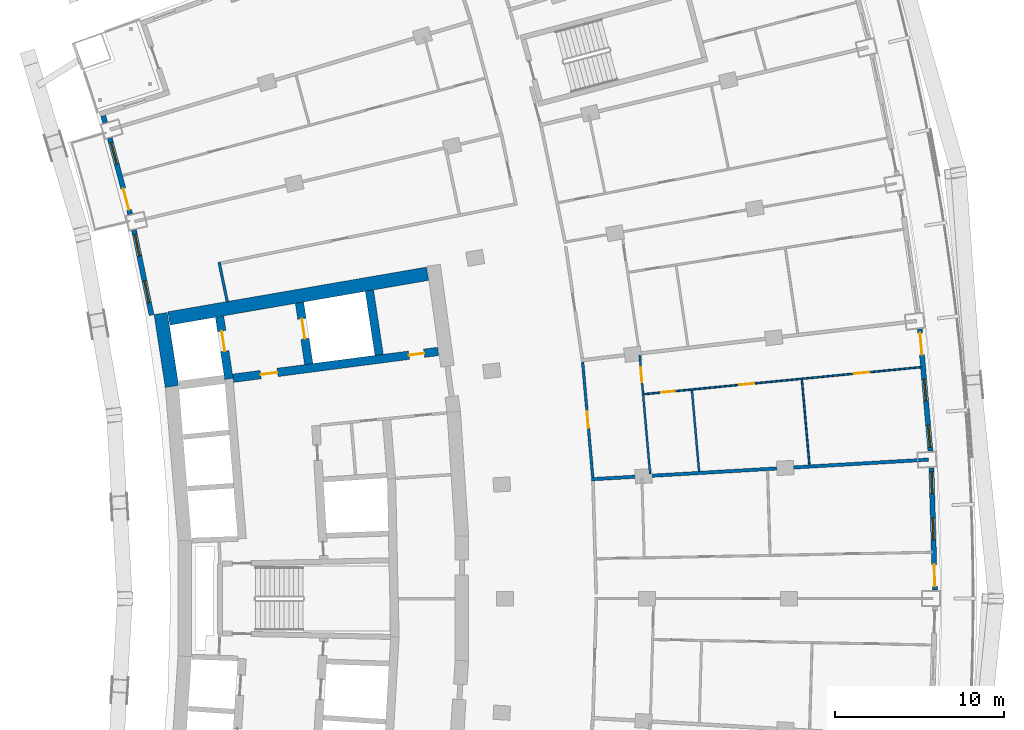
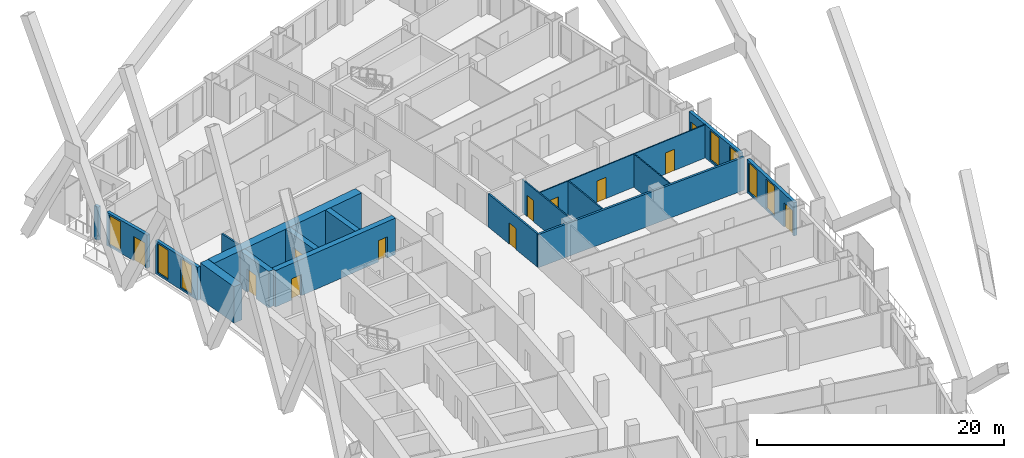
# One storey, part 16 of 24: 18 walls, 12 doors, 7 windows, 19 openings.
"""IFC4 building model written with IfcOpenShell, lengths in metres."""

from ifc_helpers import new_model, si_unit, direction, frame, frame_2d, origin, place, context, subcontext, project, spatial, rectangle, extrude, material, layer, layer_set, type_object, element, fill, save


model = new_model("IFC4")

# Units and contexts
model_context = context("Model", 3, precision=1e-05, world=origin(), true_north=direction((0.0, 1.0)))
body_context = subcontext(model_context, "Body", "Model", "MODEL_VIEW")
ifc_project = project(units=[si_unit("LENGTHUNIT", "METRE"), si_unit("AREAUNIT", "SQUARE_METRE"), si_unit("VOLUMEUNIT", "CUBIC_METRE"), si_unit("PLANEANGLEUNIT", "RADIAN"), si_unit("MASSUNIT", "GRAM", prefix="KILO")], contexts=[model_context])

# Site, building, storey
site_placement = place(None, origin())
site = spatial("IfcSite", under=ifc_project, at=site_placement, CompositionType="ELEMENT")
building_placement = place(site_placement, origin())
building = spatial("IfcBuilding", under=site, at=building_placement, Name="Alderwake Tower", CompositionType="ELEMENT")
storey_placement = place(building_placement, frame((0.0, 0.0, 104.0)))
storey = spatial("IfcBuildingStorey", under=building, at=storey_placement, Name="L25", CompositionType="ELEMENT", Elevation=104.0)

# Walls
ifc_material_1 = material(Name="Concrete C70/85", Category="concrete")
ifc_layer_1 = layer(ifc_material_1, 0.800048828125)
ifc_layer_set_1 = layer_set([ifc_layer_1], Name="Core wall outer 800 C70-85")
wall_type_1 = type_object("IfcWallType", Name="Core wall outer 800 C70-85", PredefinedType="SHEAR", material=ifc_layer_set_1)
wall_1_placement = place(storey_placement, frame((16.083984375, 73.552490234375, 0.0), z_axis=(0.0, 0.0, 1.0), x_axis=(-0.151981606421, 0.988383322052, 0.0)))
element("IfcWall", 1, at=wall_1_placement, inside=storey, type_object=wall_type_1, Name="Core wall CW.039", PredefinedType="SHEAR", context=body_context, shape_type="SweptSolid", body=[
    extrude(rectangle(XDim=4.369384765625, YDim=0.800048828125, at=frame_2d((2.1845703125, 0.0))), origin(), (0.0, 0.0, 1.0), 3.60009765625),
])
wall_2_placement = place(storey_placement, frame((15.900146484375, 77.577880859375, 0.0), z_axis=(0.0, 0.0, 1.0), x_axis=(0.985386601125, 0.170332751763, 0.0)))
element("IfcWall", 2, at=wall_2_placement, inside=storey, type_object=wall_type_1, Name="Core wall CW.054", PredefinedType="SHEAR", context=body_context, shape_type="SweptSolid", body=[
    extrude(rectangle(XDim=15.531494140625, YDim=0.800048828125, at=frame_2d((7.765625, 0.0))), origin(), (0.0, 0.0, 1.0), 3.60009765625),
])

# Wall, opening, door
ifc_material_2 = material(Name="Concrete C70/85", Category="concrete")
ifc_layer_2 = layer(ifc_material_2, 0.5)
ifc_layer_set_2 = layer_set([ifc_layer_2], Name="Core wall spine 500 C70-85")
wall_type_2 = type_object("IfcWallType", Name="Core wall spine 500 C70-85", PredefinedType="SHEAR", material=ifc_layer_set_2)
wall_3_placement = place(storey_placement, frame((19.4541015625, 73.9990234375, 0.0), z_axis=(0.0, 0.0, 1.0), x_axis=(-0.14792928808, 0.988997940204, 0.0)))
wall_3 = element("IfcWall", 3, at=wall_3_placement, inside=storey, type_object=wall_type_2, Name="Core wall CW.030", PredefinedType="SHEAR", context=body_context, shape_type="SweptSolid", body=[
    extrude(rectangle(XDim=3.716552734375, YDim=0.5, at=frame_2d((1.8583984375, 0.0))), origin(), (0.0, 0.0, 1.0), 3.60009765625),
])
opening_1_placement = place(wall_3_placement, frame((1.66259765625, 0.0, 0.0)))
opening_1 = element("IfcOpeningElement", 4, at=opening_1_placement, cuts=wall_3, Name="Opening LD-FF1", PredefinedType="OPENING", context=body_context, shape_type="SweptSolid", body=[
    extrude(rectangle(XDim=1.199951171875, YDim=2.300048828125, at=frame_2d((0.60009765625, 1.14990234375))), frame((0.0, 0.260009765625, 0.0), z_axis=(0.0, -1.0, 0.0), x_axis=(1.0, 0.0, 0.0)), (0.0, 0.0, 1.0), 0.52001953125),
])
ifc_material_3 = material(Name="Stainless steel sliding leaf", Category="steel")
door_type_1 = type_object("IfcDoorType", Name="Lift landing door 1200", OperationType="SLIDING_TO_LEFT", PredefinedType="DOOR", material=ifc_material_3)
door_1_placement = place(opening_1_placement, origin())
door_1 = element("IfcDoor", 5, at=door_1_placement, inside=storey, type_object=door_type_1, Name="Lift landing door FF1", OperationType="SLIDING_TO_LEFT", OverallHeight=2.300048828125, OverallWidth=1.199951171875, PredefinedType="DOOR", context=body_context, shape_type="SweptSolid", body=[
    extrude(rectangle(XDim=1.199951171875, YDim=2.300048828125, at=frame_2d((0.60009765625, 1.14990234375))), frame((0.0, 0.02490234375, 0.0), z_axis=(0.0, -1.0, 0.0), x_axis=(1.0, 0.0, 0.0)), (0.0, 0.0, 1.0), 0.050048828125),
])
fill(opening_1, door_1)

wall_4_placement = place(storey_placement, frame((24.1796875, 74.878173828125, 0.0), z_axis=(0.0, 0.0, 1.0), x_axis=(-0.149334835296, 0.988786684259, 0.0)))
wall_4 = element("IfcWall", 6, at=wall_4_placement, inside=storey, type_object=wall_type_2, Name="Core wall CW.044", PredefinedType="SHEAR", context=body_context, shape_type="SweptSolid", body=[
    extrude(rectangle(XDim=3.673583984375, YDim=0.5, at=frame_2d((1.8369140625, 0.0))), origin(), (0.0, 0.0, 1.0), 3.60009765625),
])
opening_2_placement = place(wall_4_placement, frame((1.51171875, 0.0, 0.0)))
opening_2 = element("IfcOpeningElement", 7, at=opening_2_placement, cuts=wall_4, Name="Opening LD-FF2", PredefinedType="OPENING", context=body_context, shape_type="SweptSolid", body=[
    extrude(rectangle(XDim=1.199951171875, YDim=2.300048828125, at=frame_2d((0.60009765625, 1.14990234375))), frame((0.0, 0.260009765625, 0.0), z_axis=(0.0, -1.0, 0.0), x_axis=(1.0, 0.0, 0.0)), (0.0, 0.0, 1.0), 0.52001953125),
])
door_2_placement = place(opening_2_placement, origin())
door_2 = element("IfcDoor", 8, at=door_2_placement, inside=storey, type_object=door_type_1, Name="Lift landing door FF2", OperationType="SLIDING_TO_LEFT", OverallHeight=2.300048828125, OverallWidth=1.199951171875, PredefinedType="DOOR", context=body_context, shape_type="SweptSolid", body=[
    extrude(rectangle(XDim=1.199951171875, YDim=2.300048828125, at=frame_2d((0.60009765625, 1.14990234375))), frame((0.0, 0.02490234375, 0.0), z_axis=(0.0, -1.0, 0.0), x_axis=(1.0, 0.0, 0.0)), (0.0, 0.0, 1.0), 0.050048828125),
])
fill(opening_2, door_2)

# Wall
wall_5_placement = place(storey_placement, frame((28.34423828125, 75.4228515625, 0.0), z_axis=(0.0, 0.0, 1.0), x_axis=(-0.14943460482, 0.988771611082, 0.0)))
element("IfcWall", 9, at=wall_5_placement, inside=storey, type_object=wall_type_2, Name="Core wall CW.001", PredefinedType="SHEAR", context=body_context, shape_type="SweptSolid", body=[
    extrude(rectangle(XDim=3.8623046875, YDim=0.5, at=frame_2d((1.93115234375, 0.0))), origin(), (0.0, 0.0, 1.0), 3.60009765625),
])

# Wall, openings, doors
wall_6_placement = place(storey_placement, frame((31.834716796875, 75.627197265625, 0.0), z_axis=(0.0, 0.0, 1.0), x_axis=(-0.991555516999, -0.129682908318, 0.0)))
wall_6 = element("IfcWall", 10, at=wall_6_placement, inside=storey, type_object=wall_type_2, Name="Core wall CW.052", PredefinedType="SHEAR", context=body_context, shape_type="SweptSolid", body=[
    extrude(rectangle(XDim=12.23681640625, YDim=0.5, at=frame_2d((6.118408203125, 0.0))), origin(), (0.0, 0.0, 1.0), 3.60009765625),
])
opening_3_placement = place(wall_6_placement, frame((9.587158203125, 0.0, 0.0)))
opening_3 = element("IfcOpeningElement", 11, at=opening_3_placement, cuts=wall_6, Name="Opening C002", PredefinedType="OPENING", context=body_context, shape_type="SweptSolid", body=[
    extrude(rectangle(XDim=1.0, YDim=2.10009765625, at=frame_2d((0.5, 1.050048828125))), frame((0.0, 0.260009765625, 0.0), z_axis=(0.0, -1.0, 0.0), x_axis=(1.0, 0.0, 0.0)), (0.0, 0.0, 1.0), 0.52001953125),
])
opening_4_placement = place(wall_6_placement, frame((0.837158203125, 0.0, 0.0)))
opening_4 = element("IfcOpeningElement", 12, at=opening_4_placement, cuts=wall_6, Name="Opening C020", PredefinedType="OPENING", context=body_context, shape_type="SweptSolid", body=[
    extrude(rectangle(XDim=0.89990234375, YDim=2.10009765625, at=frame_2d((0.449951171875, 1.050048828125))), frame((0.0, 0.260009765625, 0.0), z_axis=(0.0, -1.0, 0.0), x_axis=(1.0, 0.0, 0.0)), (0.0, 0.0, 1.0), 0.52001953125),
])
ifc_material_4 = material(Name="Painted steel leaf", Category="steel")
door_type_2 = type_object("IfcDoorType", Name="Core room door 900", OperationType="SINGLE_SWING_LEFT", PredefinedType="DOOR", material=ifc_material_4)
door_3_placement = place(opening_4_placement, origin())
door_3 = element("IfcDoor", 13, at=door_3_placement, inside=storey, type_object=door_type_2, Name="Room door", OperationType="SINGLE_SWING_LEFT", OverallHeight=2.10009765625, OverallWidth=0.89990234375, PredefinedType="DOOR", context=body_context, shape_type="SweptSolid", body=[
    extrude(rectangle(XDim=0.89990234375, YDim=2.10009765625, at=frame_2d((0.449951171875, 1.050048828125))), frame((0.0, 0.02490234375, 0.0), z_axis=(0.0, -1.0, 0.0), x_axis=(1.0, 0.0, 0.0)), (0.0, 0.0, 1.0), 0.050048828125),
])
fill(opening_4, door_3)
ifc_material_5 = material(Name="Steel-framed fire door leaf", Category="steel")
door_type_3 = type_object("IfcDoorType", Name="Firefighting lobby door 1000 fire-rated", OperationType="SINGLE_SWING_LEFT", PredefinedType="DOOR", material=ifc_material_5)
door_4_placement = place(opening_3_placement, origin())
door_4 = element("IfcDoor", 14, at=door_4_placement, inside=storey, type_object=door_type_3, Name="Firefighting lobby door", OperationType="SINGLE_SWING_RIGHT", OverallHeight=2.10009765625, OverallWidth=1.0, PredefinedType="DOOR", context=body_context, shape_type="SweptSolid", body=[
    extrude(rectangle(XDim=1.0, YDim=2.10009765625, at=frame_2d((0.5, 1.050048828125))), frame((0.0, 0.02490234375, 0.0), z_axis=(0.0, -1.0, 0.0), x_axis=(1.0, 0.0, 0.0)), (0.0, 0.0, 1.0), 0.050048828125),
])
fill(opening_3, door_4)

# Wall
ifc_material_6 = material(Name="Gypsum board on metal studs, rated")
ifc_layer_3 = layer(ifc_material_6, 0.159912109375)
ifc_layer_set_3 = layer_set([ifc_layer_3], Name="Corridor wall 160")
wall_type_3 = type_object("IfcWallType", Name="Corridor wall 160", PredefinedType="PARTITIONING", material=ifc_layer_set_3)
wall_7_placement = place(storey_placement, frame((18.874755859375, 80.910400390625, 0.0), z_axis=(0.0, 0.0, 1.0), x_axis=(0.202312089075, -0.979321100873, 0.0)))
element("IfcWall", 15, at=wall_7_placement, inside=storey, type_object=wall_type_3, Name="WL/L25/W19", PredefinedType="PARTITIONING", context=body_context, shape_type="SweptSolid", body=[
    extrude(rectangle(XDim=2.39306640625, YDim=0.159912109375, at=frame_2d((1.196533203125, 0.0))), origin(), (0.0, 0.0, 1.0), 3.280029296875),
])

# Wall, opening, door
wall_8_placement = place(storey_placement, frame((40.3857421875, 75.00830078125, 0.0), z_axis=(0.0, 0.0, 1.0), x_axis=(0.087448731147, -0.996169021512, 0.0)))
wall_8 = element("IfcWall", 16, at=wall_8_placement, inside=storey, type_object=wall_type_3, Name="WL/L25/W41", PredefinedType="PARTITIONING", context=body_context, shape_type="SweptSolid", body=[
    extrude(rectangle(XDim=6.867919921875, YDim=0.159912109375, at=frame_2d((3.43408203125, 0.0))), origin(), (0.0, 0.0, 1.0), 3.280029296875),
])
opening_5_placement = place(wall_8_placement, frame((2.93408203125, 0.0, 0.0)))
opening_5 = element("IfcOpeningElement", 17, at=opening_5_placement, cuts=wall_8, Name="Opening R07-U08.2", PredefinedType="OPENING", context=body_context, shape_type="SweptSolid", body=[
    extrude(rectangle(XDim=1.0, YDim=2.10009765625, at=frame_2d((0.5, 1.050048828125))), frame((0.0, 0.08984375, 0.0), z_axis=(0.0, -1.0, 0.0), x_axis=(1.0, 0.0, 0.0)), (0.0, 0.0, 1.0), 0.179931640625),
])
ifc_material_7 = material(Name="Solid timber leaf in steel frame", Category="steel")
door_type_4 = type_object("IfcDoorType", Name="Flat entrance door 1000 fire-rated", OperationType="SINGLE_SWING_LEFT", PredefinedType="DOOR", material=ifc_material_7)
door_5_placement = place(opening_5_placement, origin())
door_5 = element("IfcDoor", 18, at=door_5_placement, inside=storey, type_object=door_type_4, Name="DR/L25/U08.2", OperationType="SINGLE_SWING_LEFT", OverallHeight=2.10009765625, OverallWidth=1.0, PredefinedType="DOOR", context=body_context, shape_type="SweptSolid", body=[
    extrude(rectangle(XDim=1.0, YDim=2.10009765625, at=frame_2d((0.5, 1.050048828125))), frame((0.0, 0.02490234375, 0.0), z_axis=(0.0, -1.0, 0.0), x_axis=(1.0, 0.0, 0.0)), (0.0, 0.0, 1.0), 0.050048828125),
])
fill(opening_5, door_5)

# Wall, openings, door, windows
ifc_material_8 = material(Name="Precast concrete C50/60 spandrel panel", Category="concrete")
ifc_layer_4 = layer(ifc_material_8, 0.300048828125)
ifc_layer_set_4 = layer_set([ifc_layer_4], Name="External wall EW1 Precast concrete C50/60 spandrel")
wall_type_4 = type_object("IfcWallType", Name="External wall EW1 Precast concrete C50/60 spandrel", PredefinedType="SOLIDWALL", material=ifc_layer_set_4)
wall_9_placement = place(storey_placement, frame((61.2353515625, 61.49853515625, 0.0), z_axis=(0.0, 0.0, 1.0), x_axis=(-0.029132510791, 0.999575558332, 0.0)))
wall_9 = element("IfcWall", 19, at=wall_9_placement, inside=storey, type_object=wall_type_4, Name="External wall 17", PredefinedType="SOLIDWALL", context=body_context, shape_type="SweptSolid", body=[
    extrude(rectangle(XDim=7.24072265625, YDim=0.300048828125, at=frame_2d((3.620361328125, 0.0))), origin(), (0.0, 0.0, 1.0), 3.280029296875),
])
opening_6_placement = place(wall_9_placement, frame((0.22900390625, 0.0, 0.0)))
opening_6 = element("IfcOpeningElement", 20, at=opening_6_placement, cuts=wall_9, Name="Opening D07", PredefinedType="OPENING", context=body_context, shape_type="SweptSolid", body=[
    extrude(rectangle(XDim=1.300048828125, YDim=2.39990234375, at=frame_2d((0.64990234375, 1.199951171875))), frame((0.0, 0.159912109375, 0.0), z_axis=(0.0, -1.0, 0.0), x_axis=(1.0, 0.0, 0.0)), (0.0, 0.0, 1.0), 0.320068359375),
])
opening_7_placement = place(wall_9_placement, frame((2.97021484375, 0.0, 0.199951171875)))
opening_7 = element("IfcOpeningElement", 21, at=opening_7_placement, cuts=wall_9, Name="Opening W1", PredefinedType="OPENING", context=body_context, shape_type="SweptSolid", body=[
    extrude(rectangle(XDim=1.300048828125, YDim=2.89990234375, at=frame_2d((0.64990234375, 1.449951171875))), frame((0.0, 0.159912109375, 0.0), z_axis=(0.0, -1.0, 0.0), x_axis=(1.0, 0.0, 0.0)), (0.0, 0.0, 1.0), 0.320068359375),
])
opening_8_placement = place(wall_9_placement, frame((5.711669921875, 0.0, 0.199951171875)))
opening_8 = element("IfcOpeningElement", 22, at=opening_8_placement, cuts=wall_9, Name="Opening W1", PredefinedType="OPENING", context=body_context, shape_type="SweptSolid", body=[
    extrude(rectangle(XDim=1.300048828125, YDim=2.89990234375, at=frame_2d((0.64990234375, 1.449951171875))), frame((0.0, 0.159912109375, 0.0), z_axis=(0.0, -1.0, 0.0), x_axis=(1.0, 0.0, 0.0)), (0.0, 0.0, 1.0), 0.320068359375),
])
ifc_material_9 = material(Name="Bronze tinted glass in aluminium frame", Category="aluminium")
door_type_5 = type_object("IfcDoorType", Name="Balcony door BD sliding", OperationType="SLIDING_TO_LEFT", PredefinedType="DOOR", material=ifc_material_9)
door_6_placement = place(opening_6_placement, origin())
door_6 = element("IfcDoor", 23, at=door_6_placement, inside=storey, type_object=door_type_5, Name="Door D07", OperationType="SLIDING_TO_LEFT", OverallHeight=2.39990234375, OverallWidth=1.300048828125, PredefinedType="DOOR", context=body_context, shape_type="SweptSolid", body=[
    extrude(rectangle(XDim=1.300048828125, YDim=2.39990234375, at=frame_2d((0.64990234375, 1.199951171875))), frame((0.0, 0.02490234375, 0.0), z_axis=(0.0, -1.0, 0.0), x_axis=(1.0, 0.0, 0.0)), (0.0, 0.0, 1.0), 0.050048828125),
])
fill(opening_6, door_6)
ifc_material_10 = material(Name="Bronze tinted glass in aluminium frame", Category="aluminium")
window_type = type_object("IfcWindowType", Name="Window W1 tall fixed and vent", PartitioningType="DOUBLE_PANEL_VERTICAL", PredefinedType="WINDOW", material=ifc_material_10)
window_1_placement = place(opening_7_placement, origin())
window_1 = element("IfcWindow", 24, at=window_1_placement, inside=storey, type_object=window_type, Name="Window W1 tall fixed and vent", OverallHeight=2.89990234375, OverallWidth=1.300048828125, PartitioningType="DOUBLE_PANEL_VERTICAL", PredefinedType="WINDOW", context=body_context, shape_type="SweptSolid", body=[
    extrude(rectangle(XDim=1.300048828125, YDim=2.89990234375, at=frame_2d((0.64990234375, 1.449951171875))), frame((0.0, 0.030029296875, 0.0), z_axis=(0.0, -1.0, 0.0), x_axis=(1.0, 0.0, 0.0)), (0.0, 0.0, 1.0), 0.06005859375),
])
fill(opening_7, window_1)
window_2_placement = place(opening_8_placement, origin())
window_2 = element("IfcWindow", 25, at=window_2_placement, inside=storey, type_object=window_type, Name="Window W1 tall fixed and vent", OverallHeight=2.89990234375, OverallWidth=1.300048828125, PartitioningType="DOUBLE_PANEL_VERTICAL", PredefinedType="WINDOW", context=body_context, shape_type="SweptSolid", body=[
    extrude(rectangle(XDim=1.300048828125, YDim=2.89990234375, at=frame_2d((0.64990234375, 1.449951171875))), frame((0.0, 0.030029296875, 0.0), z_axis=(0.0, -1.0, 0.0), x_axis=(1.0, 0.0, 0.0)), (0.0, 0.0, 1.0), 0.06005859375),
])
fill(opening_8, window_2)

wall_10_placement = place(storey_placement, frame((60.96630859375, 69.731689453125, 0.0), z_axis=(0.0, 0.0, 1.0), x_axis=(-0.087394900945, 0.996173745533, 0.0)))
wall_10 = element("IfcWall", 26, at=wall_10_placement, inside=storey, type_object=wall_type_4, Name="External wall 18", PredefinedType="SOLIDWALL", context=body_context, shape_type="SweptSolid", body=[
    extrude(rectangle(XDim=7.24072265625, YDim=0.300048828125, at=frame_2d((3.620361328125, 0.0))), origin(), (0.0, 0.0, 1.0), 3.280029296875),
])
opening_9_placement = place(wall_10_placement, frame((0.22900390625, 0.0, 0.199951171875)))
opening_9 = element("IfcOpeningElement", 27, at=opening_9_placement, cuts=wall_10, Name="Opening W1", PredefinedType="OPENING", context=body_context, shape_type="SweptSolid", body=[
    extrude(rectangle(XDim=1.300048828125, YDim=2.89990234375, at=frame_2d((0.64990234375, 1.449951171875))), frame((0.0, 0.159912109375, 0.0), z_axis=(0.0, -1.0, 0.0), x_axis=(1.0, 0.0, 0.0)), (0.0, 0.0, 1.0), 0.320068359375),
])
opening_10_placement = place(wall_10_placement, frame((2.970458984375, 0.0, 0.199951171875)))
opening_10 = element("IfcOpeningElement", 28, at=opening_10_placement, cuts=wall_10, Name="Opening W1", PredefinedType="OPENING", context=body_context, shape_type="SweptSolid", body=[
    extrude(rectangle(XDim=1.300048828125, YDim=2.89990234375, at=frame_2d((0.64990234375, 1.449951171875))), frame((0.0, 0.159912109375, 0.0), z_axis=(0.0, -1.0, 0.0), x_axis=(1.0, 0.0, 0.0)), (0.0, 0.0, 1.0), 0.320068359375),
])
opening_11_placement = place(wall_10_placement, frame((5.711669921875, 0.0, 0.0)))
opening_11 = element("IfcOpeningElement", 29, at=opening_11_placement, cuts=wall_10, Name="Opening D08", PredefinedType="OPENING", context=body_context, shape_type="SweptSolid", body=[
    extrude(rectangle(XDim=1.300048828125, YDim=2.39990234375, at=frame_2d((0.64990234375, 1.199951171875))), frame((0.0, 0.159912109375, 0.0), z_axis=(0.0, -1.0, 0.0), x_axis=(1.0, 0.0, 0.0)), (0.0, 0.0, 1.0), 0.320068359375),
])
door_7_placement = place(opening_11_placement, origin())
door_7 = element("IfcDoor", 30, at=door_7_placement, inside=storey, type_object=door_type_5, Name="Door D08", OperationType="SLIDING_TO_LEFT", OverallHeight=2.39990234375, OverallWidth=1.300048828125, PredefinedType="DOOR", context=body_context, shape_type="SweptSolid", body=[
    extrude(rectangle(XDim=1.300048828125, YDim=2.39990234375, at=frame_2d((0.64990234375, 1.199951171875))), frame((0.0, 0.02490234375, 0.0), z_axis=(0.0, -1.0, 0.0), x_axis=(1.0, 0.0, 0.0)), (0.0, 0.0, 1.0), 0.050048828125),
])
fill(opening_11, door_7)
window_3_placement = place(opening_9_placement, origin())
window_3 = element("IfcWindow", 31, at=window_3_placement, inside=storey, type_object=window_type, Name="Window W1 tall fixed and vent", OverallHeight=2.89990234375, OverallWidth=1.300048828125, PartitioningType="DOUBLE_PANEL_VERTICAL", PredefinedType="WINDOW", context=body_context, shape_type="SweptSolid", body=[
    extrude(rectangle(XDim=1.300048828125, YDim=2.89990234375, at=frame_2d((0.64990234375, 1.449951171875))), frame((0.0, 0.030029296875, 0.0), z_axis=(0.0, -1.0, 0.0), x_axis=(1.0, 0.0, 0.0)), (0.0, 0.0, 1.0), 0.06005859375),
])
fill(opening_9, window_3)
window_4_placement = place(opening_10_placement, origin())
window_4 = element("IfcWindow", 32, at=window_4_placement, inside=storey, type_object=window_type, Name="Window W1 tall fixed and vent", OverallHeight=2.89990234375, OverallWidth=1.300048828125, PartitioningType="DOUBLE_PANEL_VERTICAL", PredefinedType="WINDOW", context=body_context, shape_type="SweptSolid", body=[
    extrude(rectangle(XDim=1.300048828125, YDim=2.89990234375, at=frame_2d((0.64990234375, 1.449951171875))), frame((0.0, 0.030029296875, 0.0), z_axis=(0.0, -1.0, 0.0), x_axis=(1.0, 0.0, 0.0)), (0.0, 0.0, 1.0), 0.06005859375),
])
fill(opening_10, window_4)

# Wall
wall_11_placement = place(storey_placement, frame((12.01416015625, 89.5703125, 0.0), z_axis=(0.0, 0.0, 1.0), x_axis=(0.294567190983, -0.955630770746, 0.0)))
element("IfcWall", 33, at=wall_11_placement, inside=storey, type_object=wall_type_4, Name="External wall 32", PredefinedType="SOLIDWALL", context=body_context, shape_type="SweptSolid", body=[
    extrude(rectangle(XDim=0.427734375, YDim=0.300048828125, at=frame_2d((0.2138671875, 0.0))), origin(), (0.0, 0.0, 1.0), 3.280029296875),
])

# Wall, openings, door, window
wall_12_placement = place(storey_placement, frame((12.406494140625, 88.237548828125, 0.0), z_axis=(0.0, 0.0, 1.0), x_axis=(0.259468933642, -0.965751454814, 0.0)))
wall_12 = element("IfcWall", 34, at=wall_12_placement, inside=storey, type_object=wall_type_4, Name="External wall 33", PredefinedType="SOLIDWALL", context=body_context, shape_type="SweptSolid", body=[
    extrude(rectangle(XDim=4.65087890625, YDim=0.300048828125, at=frame_2d((2.325439453125, 0.0))), origin(), (0.0, 0.0, 1.0), 3.280029296875),
])
opening_12_placement = place(wall_12_placement, frame((0.26708984375, 0.0, 0.199951171875)))
opening_12 = element("IfcOpeningElement", 35, at=opening_12_placement, cuts=wall_12, Name="Opening W1", PredefinedType="OPENING", context=body_context, shape_type="SweptSolid", body=[
    extrude(rectangle(XDim=1.300048828125, YDim=2.89990234375, at=frame_2d((0.64990234375, 1.449951171875))), frame((0.0, 0.159912109375, 0.0), z_axis=(0.0, -1.0, 0.0), x_axis=(1.0, 0.0, 0.0)), (0.0, 0.0, 1.0), 0.320068359375),
])
opening_13_placement = place(wall_12_placement, frame((3.083984375, 0.0, 0.0)))
opening_13 = element("IfcOpeningElement", 36, at=opening_13_placement, cuts=wall_12, Name="Opening D14", PredefinedType="OPENING", context=body_context, shape_type="SweptSolid", body=[
    extrude(rectangle(XDim=1.300048828125, YDim=2.39990234375, at=frame_2d((0.64990234375, 1.199951171875))), frame((0.0, 0.159912109375, 0.0), z_axis=(0.0, -1.0, 0.0), x_axis=(1.0, 0.0, 0.0)), (0.0, 0.0, 1.0), 0.320068359375),
])
door_8_placement = place(opening_13_placement, origin())
door_8 = element("IfcDoor", 37, at=door_8_placement, inside=storey, type_object=door_type_5, Name="Door D14", OperationType="SLIDING_TO_LEFT", OverallHeight=2.39990234375, OverallWidth=1.300048828125, PredefinedType="DOOR", context=body_context, shape_type="SweptSolid", body=[
    extrude(rectangle(XDim=1.300048828125, YDim=2.39990234375, at=frame_2d((0.64990234375, 1.199951171875))), frame((0.0, 0.02490234375, 0.0), z_axis=(0.0, -1.0, 0.0), x_axis=(1.0, 0.0, 0.0)), (0.0, 0.0, 1.0), 0.050048828125),
])
fill(opening_13, door_8)
window_5_placement = place(opening_12_placement, origin())
window_5 = element("IfcWindow", 38, at=window_5_placement, inside=storey, type_object=window_type, Name="Window W1 tall fixed and vent", OverallHeight=2.89990234375, OverallWidth=1.300048828125, PartitioningType="DOUBLE_PANEL_VERTICAL", PredefinedType="WINDOW", context=body_context, shape_type="SweptSolid", body=[
    extrude(rectangle(XDim=1.300048828125, YDim=2.89990234375, at=frame_2d((0.64990234375, 1.449951171875))), frame((0.0, 0.030029296875, 0.0), z_axis=(0.0, -1.0, 0.0), x_axis=(1.0, 0.0, 0.0)), (0.0, 0.0, 1.0), 0.06005859375),
])
fill(opening_12, window_5)

# Wall, openings, windows
wall_13_placement = place(storey_placement, frame((13.83740234375, 82.803955078125, 0.0), z_axis=(0.0, 0.0, 1.0), x_axis=(0.202723539143, -0.979236011734, 0.0)))
wall_13 = element("IfcWall", 39, at=wall_13_placement, inside=storey, type_object=wall_type_4, Name="External wall 34", PredefinedType="SOLIDWALL", context=body_context, shape_type="SweptSolid", body=[
    extrude(rectangle(XDim=5.134033203125, YDim=0.300048828125, at=frame_2d((2.56689453125, 0.0))), origin(), (0.0, 0.0, 1.0), 3.280029296875),
])
opening_14_placement = place(wall_13_placement, frame((0.264892578125, 0.0, 0.199951171875)))
opening_14 = element("IfcOpeningElement", 40, at=opening_14_placement, cuts=wall_13, Name="Opening W1", PredefinedType="OPENING", context=body_context, shape_type="SweptSolid", body=[
    extrude(rectangle(XDim=1.300048828125, YDim=2.89990234375, at=frame_2d((0.64990234375, 1.449951171875))), frame((0.0, 0.159912109375, 0.0), z_axis=(0.0, -1.0, 0.0), x_axis=(1.0, 0.0, 0.0)), (0.0, 0.0, 1.0), 0.320068359375),
])
opening_15_placement = place(wall_13_placement, frame((3.077392578125, 0.0, 0.199951171875)))
opening_15 = element("IfcOpeningElement", 41, at=opening_15_placement, cuts=wall_13, Name="Opening W1", PredefinedType="OPENING", context=body_context, shape_type="SweptSolid", body=[
    extrude(rectangle(XDim=1.300048828125, YDim=2.89990234375, at=frame_2d((0.64990234375, 1.449951171875))), frame((0.0, 0.159912109375, 0.0), z_axis=(0.0, -1.0, 0.0), x_axis=(1.0, 0.0, 0.0)), (0.0, 0.0, 1.0), 0.320068359375),
])
window_6_placement = place(opening_14_placement, origin())
window_6 = element("IfcWindow", 42, at=window_6_placement, inside=storey, type_object=window_type, Name="Window W1 tall fixed and vent", OverallHeight=2.89990234375, OverallWidth=1.300048828125, PartitioningType="DOUBLE_PANEL_VERTICAL", PredefinedType="WINDOW", context=body_context, shape_type="SweptSolid", body=[
    extrude(rectangle(XDim=1.300048828125, YDim=2.89990234375, at=frame_2d((0.64990234375, 1.449951171875))), frame((0.0, 0.030029296875, 0.0), z_axis=(0.0, -1.0, 0.0), x_axis=(1.0, 0.0, 0.0)), (0.0, 0.0, 1.0), 0.06005859375),
])
fill(opening_14, window_6)
window_7_placement = place(opening_15_placement, origin())
window_7 = element("IfcWindow", 43, at=window_7_placement, inside=storey, type_object=window_type, Name="Window W1 tall fixed and vent", OverallHeight=2.89990234375, OverallWidth=1.300048828125, PartitioningType="DOUBLE_PANEL_VERTICAL", PredefinedType="WINDOW", context=body_context, shape_type="SweptSolid", body=[
    extrude(rectangle(XDim=1.300048828125, YDim=2.89990234375, at=frame_2d((0.64990234375, 1.449951171875))), frame((0.0, 0.030029296875, 0.0), z_axis=(0.0, -1.0, 0.0), x_axis=(1.0, 0.0, 0.0)), (0.0, 0.0, 1.0), 0.06005859375),
])
fill(opening_15, window_7)

# Wall
ifc_material_11 = material(Name="Dense block masonry wall", Category="masonry")
ifc_layer_5 = layer(ifc_material_11, 0.199951171875)
ifc_layer_set_5 = layer_set([ifc_layer_5], Name="Party wall 200")
wall_type_5 = type_object("IfcWallType", Name="Party wall 200", PredefinedType="SOLIDWALL", material=ifc_layer_set_5)
wall_14_placement = place(storey_placement, frame((60.861083984375, 69.22509765625, 0.0), z_axis=(0.0, 0.0, 1.0), x_axis=(-0.998304911641, -0.058200544611, 0.0)))
element("IfcWall", 44, at=wall_14_placement, inside=storey, type_object=wall_type_5, Name="WL/L25/W11", PredefinedType="SOLIDWALL", context=body_context, shape_type="SweptSolid", body=[
    extrude(rectangle(XDim=19.97998046875, YDim=0.199951171875, at=frame_2d((9.989990234375, 0.0))), origin(), (0.0, 0.0, 1.0), 3.280029296875),
])

# Wall, openings, doors
ifc_material_12 = material(Name="Gypsum board on metal studs")
ifc_layer_6 = layer(ifc_material_12, 0.10009765625)
ifc_layer_set_6 = layer_set([ifc_layer_6], Name="Unit partition 100")
wall_type_6 = type_object("IfcWallType", Name="Unit partition 100", PredefinedType="PARTITIONING", material=ifc_layer_set_6)
wall_15_placement = place(storey_placement, frame((60.428955078125, 74.697021484375, 0.0), z_axis=(0.0, 0.0, 1.0), x_axis=(-0.995282242247, -0.097021947356, 0.0)))
wall_15 = element("IfcWall", 45, at=wall_15_placement, inside=storey, type_object=wall_type_6, Name="WL/L25/W77", PredefinedType="PARTITIONING", context=body_context, shape_type="SweptSolid", body=[
    extrude(rectangle(XDim=16.48193359375, YDim=0.10009765625, at=frame_2d((8.240966796875, 0.0))), origin(), (0.0, 0.0, 1.0), 3.280029296875),
])
opening_16_placement = place(wall_15_placement, frame((9.924072265625, 0.0, 0.0)))
opening_16 = element("IfcOpeningElement", 46, at=opening_16_placement, cuts=wall_15, Name="Opening R07-U08.1", PredefinedType="OPENING", context=body_context, shape_type="SweptSolid", body=[
    extrude(rectangle(XDim=0.89990234375, YDim=2.10009765625, at=frame_2d((0.449951171875, 1.050048828125))), frame((0.0, 0.06005859375, 0.0), z_axis=(0.0, -1.0, 0.0), x_axis=(1.0, 0.0, 0.0)), (0.0, 0.0, 1.0), 0.1201171875),
])
opening_17_placement = place(wall_15_placement, frame((14.662841796875, 0.0, 0.0)))
opening_17 = element("IfcOpeningElement", 47, at=opening_17_placement, cuts=wall_15, Name="Opening R07-U08.4", PredefinedType="OPENING", context=body_context, shape_type="SweptSolid", body=[
    extrude(rectangle(XDim=0.800048828125, YDim=2.10009765625, at=frame_2d((0.39990234375, 1.050048828125))), frame((0.0, 0.06005859375, 0.0), z_axis=(0.0, -1.0, 0.0), x_axis=(1.0, 0.0, 0.0)), (0.0, 0.0, 1.0), 0.1201171875),
])
opening_18_placement = place(wall_15_placement, frame((3.102294921875, 0.0, 0.0)))
opening_18 = element("IfcOpeningElement", 48, at=opening_18_placement, cuts=wall_15, Name="Opening R07-U08.5", PredefinedType="OPENING", context=body_context, shape_type="SweptSolid", body=[
    extrude(rectangle(XDim=0.89990234375, YDim=2.10009765625, at=frame_2d((0.449951171875, 1.050048828125))), frame((0.0, 0.06005859375, 0.0), z_axis=(0.0, -1.0, 0.0), x_axis=(1.0, 0.0, 0.0)), (0.0, 0.0, 1.0), 0.1201171875),
])
ifc_material_13 = material(Name="Painted timber leaf", Category="wood")
door_type_6 = type_object("IfcDoorType", Name="Bathroom door 800", OperationType="SINGLE_SWING_LEFT", PredefinedType="DOOR", material=ifc_material_13)
door_9_placement = place(opening_17_placement, origin())
door_9 = element("IfcDoor", 49, at=door_9_placement, inside=storey, type_object=door_type_6, Name="DR/L25/U08.4", OperationType="SINGLE_SWING_LEFT", OverallHeight=2.10009765625, OverallWidth=0.800048828125, PredefinedType="DOOR", context=body_context, shape_type="SweptSolid", body=[
    extrude(rectangle(XDim=0.800048828125, YDim=2.10009765625, at=frame_2d((0.39990234375, 1.050048828125))), frame((0.0, 0.02490234375, 0.0), z_axis=(0.0, -1.0, 0.0), x_axis=(1.0, 0.0, 0.0)), (0.0, 0.0, 1.0), 0.050048828125),
])
fill(opening_17, door_9)
ifc_material_14 = material(Name="Painted timber leaf", Category="wood")
door_type_7 = type_object("IfcDoorType", Name="Room door 900", OperationType="SINGLE_SWING_LEFT", PredefinedType="DOOR", material=ifc_material_14)
door_10_placement = place(opening_16_placement, origin())
door_10 = element("IfcDoor", 50, at=door_10_placement, inside=storey, type_object=door_type_7, Name="DR/L25/U08.1", OperationType="SINGLE_SWING_LEFT", OverallHeight=2.10009765625, OverallWidth=0.89990234375, PredefinedType="DOOR", context=body_context, shape_type="SweptSolid", body=[
    extrude(rectangle(XDim=0.89990234375, YDim=2.10009765625, at=frame_2d((0.449951171875, 1.050048828125))), frame((0.0, 0.02490234375, 0.0), z_axis=(0.0, -1.0, 0.0), x_axis=(1.0, 0.0, 0.0)), (0.0, 0.0, 1.0), 0.050048828125),
])
fill(opening_16, door_10)
door_11_placement = place(opening_18_placement, origin())
door_11 = element("IfcDoor", 51, at=door_11_placement, inside=storey, type_object=door_type_7, Name="DR/L25/U08.5", OperationType="SINGLE_SWING_LEFT", OverallHeight=2.10009765625, OverallWidth=0.89990234375, PredefinedType="DOOR", context=body_context, shape_type="SweptSolid", body=[
    extrude(rectangle(XDim=0.89990234375, YDim=2.10009765625, at=frame_2d((0.449951171875, 1.050048828125))), frame((0.0, 0.02490234375, 0.0), z_axis=(0.0, -1.0, 0.0), x_axis=(1.0, 0.0, 0.0)), (0.0, 0.0, 1.0), 0.050048828125),
])
fill(opening_18, door_11)

# Wall
wall_16_placement = place(storey_placement, frame((53.80517578125, 68.913818359375, 0.0), z_axis=(0.0, 0.0, 1.0), x_axis=(-0.087474417373, 0.996166766312, 0.0)))
element("IfcWall", 52, at=wall_16_placement, inside=storey, type_object=wall_type_6, Name="WL/L25/W90", PredefinedType="PARTITIONING", context=body_context, shape_type="SweptSolid", body=[
    extrude(rectangle(XDim=5.062744140625, YDim=0.10009765625, at=frame_2d((2.53125, 0.0))), origin(), (0.0, 0.0, 1.0), 3.280029296875),
])

# Wall, opening, door
ifc_material_15 = material(Name="Moisture resistant gypsum board on metal studs")
ifc_layer_7 = layer(ifc_material_15, 0.1201171875)
ifc_layer_set_7 = layer_set([ifc_layer_7], Name="Wet room partition 120")
wall_type_7 = type_object("IfcWallType", Name="Wet room partition 120", PredefinedType="PARTITIONING", material=ifc_layer_set_7)
wall_17_placement = place(storey_placement, frame((43.7607421875, 75.404296875, 0.0), z_axis=(0.0, 0.0, 1.0), x_axis=(0.087510659507, -0.996163583189, 0.0)))
wall_17 = element("IfcWall", 53, at=wall_17_placement, inside=storey, type_object=wall_type_7, Name="WL/L25/W58", PredefinedType="PARTITIONING", context=body_context, shape_type="SweptSolid", body=[
    extrude(rectangle(XDim=7.066650390625, YDim=0.1201171875, at=frame_2d((3.533203125, 0.0))), origin(), (0.0, 0.0, 1.0), 3.280029296875),
])
opening_19_placement = place(wall_17_placement, frame((0.71142578125, 0.0, 0.0)))
opening_19 = element("IfcOpeningElement", 54, at=opening_19_placement, cuts=wall_17, Name="Opening R07-U08.3", PredefinedType="OPENING", context=body_context, shape_type="SweptSolid", body=[
    extrude(rectangle(XDim=0.89990234375, YDim=2.10009765625, at=frame_2d((0.449951171875, 1.050048828125))), frame((0.0, 0.070068359375, 0.0), z_axis=(0.0, -1.0, 0.0), x_axis=(1.0, 0.0, 0.0)), (0.0, 0.0, 1.0), 0.14013671875),
])
door_12_placement = place(opening_19_placement, origin())
door_12 = element("IfcDoor", 55, at=door_12_placement, inside=storey, type_object=door_type_7, Name="DR/L25/U08.3", OperationType="SINGLE_SWING_LEFT", OverallHeight=2.10009765625, OverallWidth=0.89990234375, PredefinedType="DOOR", context=body_context, shape_type="SweptSolid", body=[
    extrude(rectangle(XDim=0.89990234375, YDim=2.10009765625, at=frame_2d((0.449951171875, 1.050048828125))), frame((0.0, 0.02490234375, 0.0), z_axis=(0.0, -1.0, 0.0), x_axis=(1.0, 0.0, 0.0)), (0.0, 0.0, 1.0), 0.050048828125),
])
fill(opening_19, door_12)

# Wall
wall_18_placement = place(storey_placement, frame((47.2744140625, 68.53271484375, 0.0), z_axis=(0.0, 0.0, 1.0), x_axis=(-0.087155609358, 0.996194709762, 0.0)))
element("IfcWall", 56, at=wall_18_placement, inside=storey, type_object=wall_type_7, Name="WL/L25/W66", PredefinedType="PARTITIONING", context=body_context, shape_type="SweptSolid", body=[
    extrude(rectangle(XDim=4.806884765625, YDim=0.1201171875, at=frame_2d((2.4033203125, 0.0))), origin(), (0.0, 0.0, 1.0), 3.280029296875),
])

save(model, "model.ifc")
